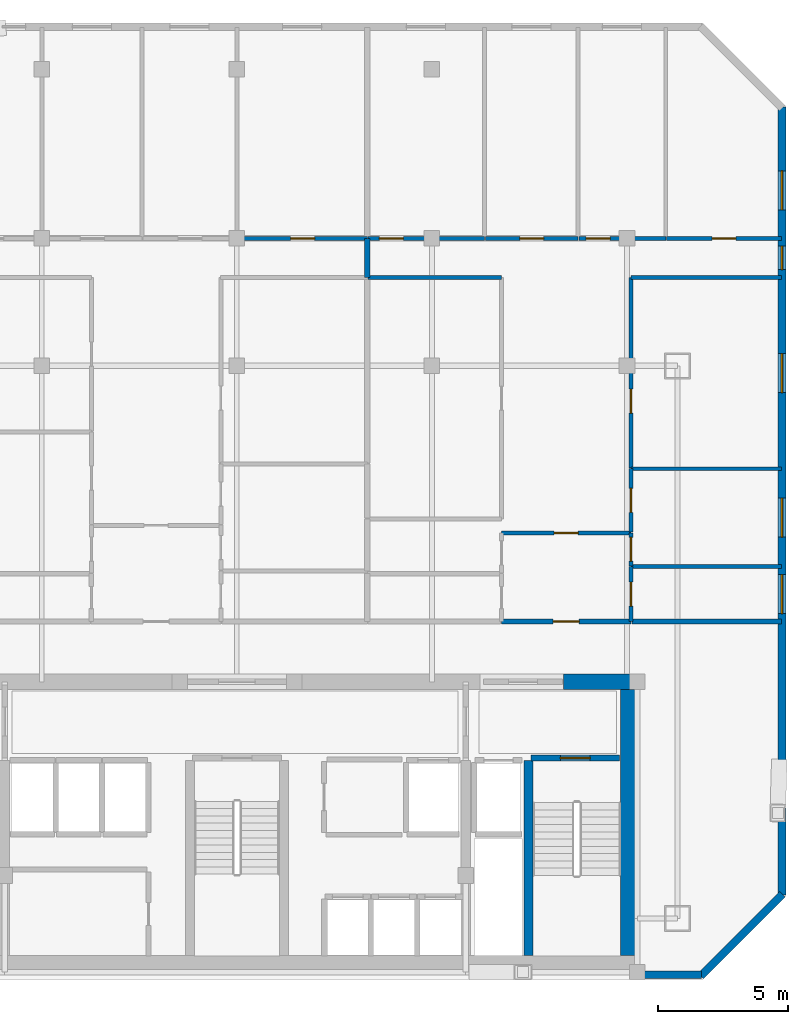
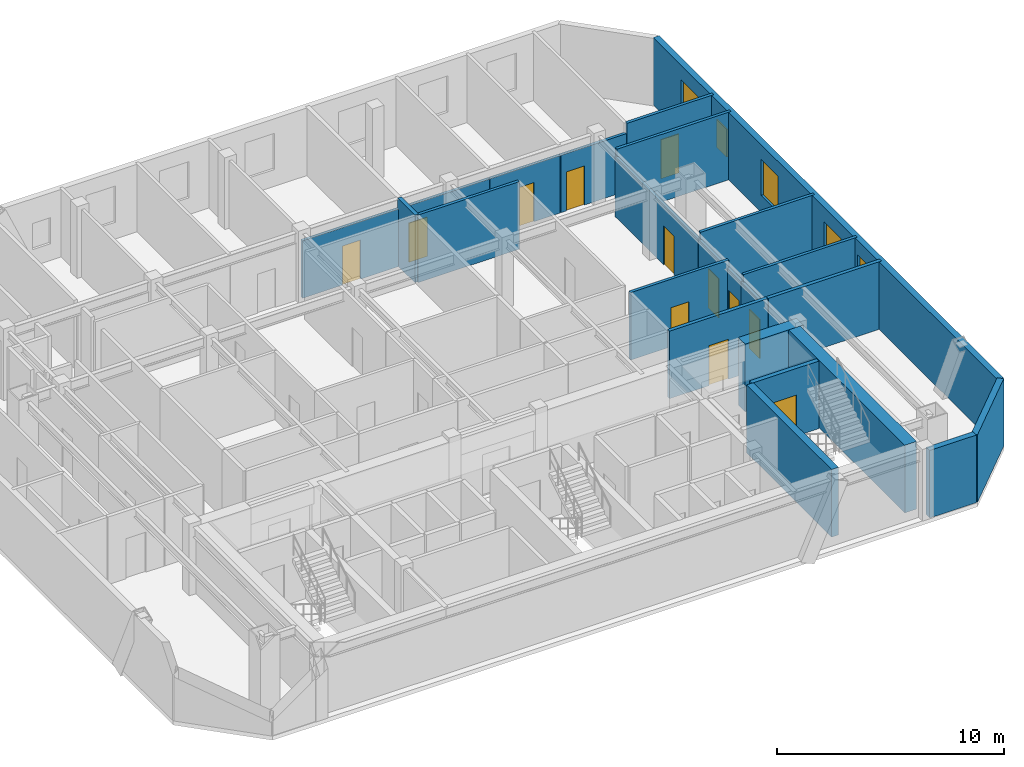
# One storey, part 5 of 7: 24 walls, 12 doors, 5 windows, 17 openings.
"""IFC4 building model written with IfcOpenShell, lengths in metres."""

import ifcopenshell
import ifcopenshell.guid

model = None  # the IFC model being written
_history = None  # IfcOwnerHistory: only IFC2X3 demands one
_inside = {}  # id of a spatial element -> (the spatial element, [elements in it])
_under = {}  # id of a project, library or spatial element -> (it, [spatial elements below it])
_declared = {}  # id of a project -> (the project, [libraries it declares])
_typed = {}  # id of a type object -> (the type object, [elements of that type])
_made_of = {}  # id of a material, layer set ... -> (it, [elements and type objects made of it])


def new_model(schema):
    """Start an empty IFC model of exactly this schema.

    Asked for "IFC4X3", IfcOpenShell would pick the latest addendum, in which some entities
    have other attributes; the version numbers below select the first issue.
    IFC2X3 requires an IfcOwnerHistory on every rooted entity: one is made here for all.
    """
    global model, _history
    if schema == "IFC4X3":
        model = ifcopenshell.file(schema_version=(4, 3, 0, 0))
    else:
        model = ifcopenshell.file(schema=schema)
    _inside.clear()
    _under.clear()
    _declared.clear()
    _typed.clear()
    _made_of.clear()
    _history = None
    if model.schema == "IFC2X3":
        org = make("IfcOrganization", Name="unknown")
        user = make(
            "IfcPersonAndOrganization",
            ThePerson=make("IfcPerson", FamilyName="unknown"),
            TheOrganization=org,
        )
        app = make(
            "IfcApplication",
            ApplicationDeveloper=org,
            Version="unknown",
            ApplicationFullName="unknown",
            ApplicationIdentifier="unknown",
        )
        _history = make(
            "IfcOwnerHistory",
            OwningUser=user,
            OwningApplication=app,
            ChangeAction="ADDED",
            CreationDate=0,
        )
    return model


def make(cls, **values):
    """One entity of the class cls with the attributes given. An attribute that is None is left unset."""
    return model.create_entity(
        cls, **{name: value for name, value in values.items() if value is not None}
    )


def rooted(cls, **values):
    """An entity with a GlobalId (a new one), such as an element, a storey or a relation."""
    return make(cls, GlobalId=ifcopenshell.guid.new(), OwnerHistory=_history, **values)


def si_unit(unit_type, name, prefix=None):
    """IfcSIUnit, for example si_unit("LENGTHUNIT", "METRE", prefix="MILLI")."""
    return make("IfcSIUnit", UnitType=unit_type, Prefix=prefix, Name=name)


def assignment(units):
    """IfcUnitAssignment: the units of a project."""
    return None if units is None else make("IfcUnitAssignment", Units=units)


def point(xyz):
    """IfcCartesianPoint."""
    return None if xyz is None else make("IfcCartesianPoint", Coordinates=xyz)


def direction(xyz):
    """IfcDirection."""
    return None if xyz is None else make("IfcDirection", DirectionRatios=xyz)


def frame(location, z_axis=None, x_axis=None):
    """IfcAxis2Placement3D, a coordinate frame: its origin and axes. An axis left out is left unset."""
    return make(
        "IfcAxis2Placement3D",
        Location=point(location),
        Axis=direction(z_axis),
        RefDirection=direction(x_axis),
    )


def frame_2d(location, x_axis=None):
    """IfcAxis2Placement2D, a coordinate frame in the plane: its origin and x axis."""
    return make(
        "IfcAxis2Placement2D", Location=point(location), RefDirection=direction(x_axis)
    )


def origin():
    """The frame at (0, 0, 0) with its axes left unset."""
    return frame((0.0, 0.0, 0.0))


def place(relative_to, where):
    """IfcLocalPlacement: puts the frame where relative to a parent placement (None: the world)."""
    return make(
        "IfcLocalPlacement", PlacementRelTo=relative_to, RelativePlacement=where
    )


def context(
    kind, dimensions, precision=None, world=None, true_north=None, identifier=None
):
    """IfcGeometricRepresentationContext, for example the 3D "Model" context."""
    return make(
        "IfcGeometricRepresentationContext",
        ContextIdentifier=identifier,
        ContextType=kind,
        CoordinateSpaceDimension=dimensions,
        Precision=precision,
        WorldCoordinateSystem=world,
        TrueNorth=true_north,
    )


def subcontext(parent, identifier, kind, view, scale=None):
    """IfcGeometricRepresentationSubContext, for example "Body" below "Model"."""
    return make(
        "IfcGeometricRepresentationSubContext",
        ContextIdentifier=identifier,
        ContextType=kind,
        ParentContext=parent,
        TargetScale=scale,
        TargetView=view,
    )


def project(units=None, contexts=None):
    """IfcProject with its units and contexts."""
    return rooted(
        "IfcProject",
        Name="project",
        RepresentationContexts=contexts,
        UnitsInContext=assignment(units),
    )


def spatial(cls, under=None, at=None, **own):
    """A site, building, storey or space (cls), placed at a placement, below another one or the project."""
    s = rooted(cls, ObjectPlacement=at, **own)
    if under is not None:
        _under.setdefault(under.id(), (under, []))[1].append(s)
    return s


def profile(cls, at=None, kind="AREA", **sizes):
    """A parametric profile (cls). Its sizes go by their IFC names, for example OverallWidth=200.0."""
    return make(cls, ProfileType=kind, Position=at, **sizes)


def rectangle(**sizes):
    """IfcRectangleProfileDef."""
    return profile("IfcRectangleProfileDef", **sizes)


def extrude(swept, where, along, depth):
    """IfcExtrudedAreaSolid: the profile swept, set in the frame where, extruded along a direction by depth."""
    return make(
        "IfcExtrudedAreaSolid",
        SweptArea=swept,
        Position=where,
        ExtrudedDirection=direction(along),
        Depth=depth,
    )


def shape(context_of_items, identifier, shape_type, items):
    """IfcShapeRepresentation: the items that make up one representation, for example the "Body"."""
    return make(
        "IfcShapeRepresentation",
        ContextOfItems=context_of_items,
        RepresentationIdentifier=identifier,
        RepresentationType=shape_type,
        Items=items,
    )


def material(Name=None, Category=None):
    """IfcMaterial."""
    return make("IfcMaterial", Name=Name, Category=Category)


def layer(
    of_material, thickness, ventilated=None, Name=None, Category=None, Priority=None
):
    """IfcMaterialLayer: one layer of a wall or slab, of a material (None: an air gap)."""
    return make(
        "IfcMaterialLayer",
        Material=of_material,
        LayerThickness=thickness,
        IsVentilated=ventilated,
        Name=Name,
        Category=Category,
        Priority=Priority,
    )


def layer_set(layers, Name=None):
    """IfcMaterialLayerSet."""
    return make("IfcMaterialLayerSet", MaterialLayers=layers, LayerSetName=Name)


def made_of(thing, what):
    """Note that an element or type object is made of a material, layer set ...; save() writes the relation."""
    if what is not None:
        _made_of.setdefault(what.id(), (what, []))[1].append(thing)
    return thing


def type_object(cls, material=None, **own):
    """A type object (cls), such as IfcWallType, which elements share."""
    return made_of(rooted(cls, **own), material)


def element(
    cls,
    number,
    at=None,
    inside=None,
    cuts=None,
    type_object=None,
    material=None,
    context=None,
    identifier="Body",
    shape_type=None,
    held_by="IfcProductDefinitionShape",
    body=None,
    shapes=None,
    **own,
):
    """One element of the class cls, such as IfcWall. Its Tag is "e" and its number.

    at: its placement. inside: the storey or other place that contains it. cuts: it is an
    opening in that element (IfcRelVoidsElement). A single representation is given by context,
    identifier, shape_type and body (its items); several are given by shapes. held_by: the class
    of the entity that holds the representations. save() writes the other relations.
    """
    e = rooted(cls, Tag="e%d" % number, ObjectPlacement=at, **own)
    if body is not None:
        shapes = [shape(context, identifier, shape_type, body)]
    if shapes is not None:
        e.Representation = make(held_by, Representations=shapes)
    if inside is not None:
        _inside.setdefault(inside.id(), (inside, []))[1].append(e)
    if cuts is not None:
        rooted(
            "IfcRelVoidsElement", RelatingBuildingElement=cuts, RelatedOpeningElement=e
        )
    if type_object is not None:
        _typed.setdefault(type_object.id(), (type_object, []))[1].append(e)
    return made_of(e, material)


def fill(opening, filler):
    """IfcRelFillsElement: the door or window that sits in an opening."""
    return rooted(
        "IfcRelFillsElement",
        RelatingOpeningElement=opening,
        RelatedBuildingElement=filler,
    )


def aggregate(whole, parts):
    """IfcRelAggregates: a whole, such as a stair, and the parts it consists of."""
    return rooted("IfcRelAggregates", RelatingObject=whole, RelatedObjects=parts)


def save(model, path):
    """Write the relations noted so far, then the file.

    IfcRelAggregates (storeys below a building ...), IfcRelContainedInSpatialStructure (elements
    in a storey), IfcRelDefinesByType, IfcRelAssociatesMaterial and IfcRelDeclares: one each for
    every whole, place, type object, material and project.
    """
    for whole, parts in _under.values():
        aggregate(whole, parts)
    for where, things in _inside.values():
        rooted(
            "IfcRelContainedInSpatialStructure",
            RelatedElements=things,
            RelatingStructure=where,
        )
    for kind, things in _typed.values():
        rooted("IfcRelDefinesByType", RelatedObjects=things, RelatingType=kind)
    for what, things in _made_of.values():
        rooted("IfcRelAssociatesMaterial", RelatedObjects=things, RelatingMaterial=what)
    for by, libraries in _declared.values():
        rooted("IfcRelDeclares", RelatingContext=by, RelatedDefinitions=libraries)
    model.write(path)


model = new_model("IFC4")

# Units and contexts
model_context = context("Model", 3, precision=1e-05, world=origin(), true_north=direction((0.0, 1.0)))
body_context = subcontext(model_context, "Body", "Model", "MODEL_VIEW")
ifc_project = project(units=[si_unit("LENGTHUNIT", "METRE"), si_unit("AREAUNIT", "SQUARE_METRE"), si_unit("VOLUMEUNIT", "CUBIC_METRE"), si_unit("PLANEANGLEUNIT", "RADIAN"), si_unit("MASSUNIT", "GRAM", prefix="KILO")], contexts=[model_context])

# Site, building, storey
site_placement = place(None, origin())
site = spatial("IfcSite", under=ifc_project, at=site_placement, CompositionType="ELEMENT")
building_placement = place(site_placement, origin())
building = spatial("IfcBuilding", under=site, at=building_placement, Name="Ventersveld Concourse Tower", CompositionType="ELEMENT")
storey_placement = place(building_placement, frame((0.0, 0.0, 238.800048828125)))
storey = spatial("IfcBuildingStorey", under=building, at=storey_placement, Name="L59", CompositionType="ELEMENT", Elevation=238.800048828125)

# Walls
ifc_material_1 = material(Name="Concrete C50/60", Category="concrete")
ifc_layer_1 = layer(ifc_material_1, 0.35009765625)
ifc_layer_set_1 = layer_set([ifc_layer_1], Name="Concrete C50/60")
wall_type_1 = type_object("IfcWallType", Name="WL-CORE-350U", PredefinedType="SHEAR", material=ifc_layer_set_1)
wall_1_placement = place(storey_placement, frame((39.9599609375, 0.919921875, 0.0), z_axis=(0.0, 0.0, 1.0), x_axis=(0.0, 1.0, 0.0)))
element("IfcWall", 1, at=wall_1_placement, inside=storey, type_object=wall_type_1, Name="L59 Core Internal Shear Web W-ST2-W", PredefinedType="SHEAR", context=body_context, shape_type="SweptSolid", body=[
    extrude(rectangle(XDim=7.5, YDim=0.35009765625, at=frame_2d((3.75, 0.0))), origin(), (0.0, 0.0, 1.0), 3.6298828125),
])
ifc_layer_2 = layer(ifc_material_1, 0.60009765625)
ifc_layer_set_2 = layer_set([ifc_layer_2], Name="Concrete C50/60")
wall_type_2 = type_object("IfcWallType", Name="WL-CORE-600", PredefinedType="SHEAR", material=ifc_layer_set_2)
wall_2_placement = place(storey_placement, frame((43.800048828125, 0.919921875, 0.0), z_axis=(0.0, 0.0, 1.0), x_axis=(0.0, 1.0, 0.0)))
element("IfcWall", 2, at=wall_2_placement, inside=storey, type_object=wall_type_2, Name="L59 Rear Core East Shear Wall", PredefinedType="SHEAR", context=body_context, shape_type="SweptSolid", body=[
    extrude(rectangle(XDim=10.530029296875, YDim=0.60009765625, at=frame_2d((5.26513671875, 0.0))), origin(), (0.0, 0.0, 1.0), 3.6298828125),
])
wall_3_placement = place(storey_placement, frame((41.300048828125, 11.449951171875, 0.0), z_axis=(0.0, 0.0, 1.0), x_axis=(1.0, 0.0, 0.0)))
element("IfcWall", 3, at=wall_3_placement, inside=storey, type_object=wall_type_2, Name="L59 Rear Core North Shear Wall NE", PredefinedType="SHEAR", context=body_context, shape_type="SweptSolid", body=[
    extrude(rectangle(XDim=2.949951171875, YDim=0.60009765625, at=frame_2d((1.47509765625, 0.0))), origin(), (0.0, 0.0, 1.0), 3.6298828125),
])

# Wall, opening, door
ifc_material_2 = material(Name="Fire-rated autoclaved aerated masonry blockwork", Category="masonry")
ifc_layer_3 = layer(ifc_material_2, 0.179931640625)
ifc_layer_set_3 = layer_set([ifc_layer_3], Name="Fire-rated autoclaved aerated masonry blockwork")
wall_type_3 = type_object("IfcWallType", Name="WL-CORR-180", PredefinedType="PARTITIONING", material=ifc_layer_set_3)
wall_4_placement = place(storey_placement, frame((38.918212890625, 13.77001953125, 0.0), z_axis=(0.0, 0.0, 1.0), x_axis=(1.0, 0.0, 0.0)))
wall_4 = element("IfcWall", 4, at=wall_4_placement, inside=storey, type_object=wall_type_3, Name="L59 Interior Partition SP-L59-COR-SP-L59-59N2-FOY", PredefinedType="PARTITIONING", context=body_context, shape_type="SweptSolid", body=[
    extrude(rectangle(XDim=4.989990234375, YDim=0.179931640625, at=frame_2d((2.4951171875, 0.0))), origin(), (0.0, 0.0, 1.0), 3.6298828125),
])
opening_1_placement = place(wall_4_placement, frame((1.9951171875, 0.0, 0.0)))
opening_1 = element("IfcOpeningElement", 5, at=opening_1_placement, cuts=wall_4, Name="Opening FD3", PredefinedType="OPENING", context=body_context, shape_type="SweptSolid", body=[
    extrude(rectangle(XDim=1.0, YDim=2.14990234375, at=frame_2d((0.5, 1.074951171875))), frame((0.0, 0.10009765625, 0.0), z_axis=(0.0, -1.0, 0.0), x_axis=(1.0, 0.0, 0.0)), (0.0, 0.0, 1.0), 0.199951171875),
])
ifc_material_3 = material(Name="Solid-core hardwood veneer timber", Category="wood")
door_type_1 = type_object("IfcDoorType", Name="DR-FLAT-100", OperationType="NOTDEFINED", PredefinedType="DOOR", material=ifc_material_3)
door_1_placement = place(opening_1_placement, origin())
door_1 = element("IfcDoor", 6, at=door_1_placement, inside=storey, type_object=door_type_1, Name="L59 Interior Door SP-L59-COR to SP-L59-59N2-FOY (FD-L59-2832)", OperationType="SINGLE_SWING_RIGHT", OverallHeight=2.14990234375, OverallWidth=1.0, PredefinedType="DOOR", context=body_context, shape_type="SweptSolid", body=[
    extrude(rectangle(XDim=1.0, YDim=2.14990234375, at=frame_2d((0.5, 1.074951171875))), frame((0.0, 0.02490234375, 0.0), z_axis=(0.0, -1.0, 0.0), x_axis=(1.0, 0.0, 0.0)), (0.0, 0.0, 1.0), 0.050048828125),
])
fill(opening_1, door_1)

# Walls
wall_5_placement = place(storey_placement, frame((43.93798828125, 13.77001953125, 0.0), z_axis=(0.0, 0.0, 1.0), x_axis=(1.0, 0.0, 0.0)))
element("IfcWall", 7, at=wall_5_placement, inside=storey, type_object=wall_type_3, Name="L59 Interior Partition SP-L59-COR-SP-L59-59N2-KIT", PredefinedType="PARTITIONING", context=body_context, shape_type="SweptSolid", body=[
    extrude(rectangle(XDim=5.747314453125, YDim=0.179931640625, at=frame_2d((2.87353515625, 0.0))), origin(), (0.0, 0.0, 1.0), 3.6298828125),
])
ifc_layer_4 = layer(ifc_material_2, 0.199951171875)
ifc_layer_set_4 = layer_set([ifc_layer_4], Name="Fire-rated autoclaved aerated masonry blockwork")
wall_type_4 = type_object("IfcWallType", Name="WL-DEMISE-200", PredefinedType="PARTITIONING", material=ifc_layer_set_4)
wall_6_placement = place(storey_placement, frame((33.75830078125, 26.9951171875, 0.0), z_axis=(0.0, 0.0, 1.0), x_axis=(0.0, 1.0, 0.0)))
element("IfcWall", 8, at=wall_6_placement, inside=storey, type_object=wall_type_4, Name="L59 Interior Partition SP-L59-59N1-LIV-SP-L59-59N2-LIV", PredefinedType="PARTITIONING", context=body_context, shape_type="SweptSolid", body=[
    extrude(rectangle(XDim=1.509765625, YDim=0.199951171875, at=frame_2d((0.7548828125, 0.0))), origin(), (0.0, 0.0, 1.0), 3.6298828125),
])

# Wall, opening, door
ifc_layer_5 = layer(ifc_material_2, 0.219970703125)
ifc_layer_set_5 = layer_set([ifc_layer_5], Name="Fire-rated autoclaved aerated masonry blockwork")
wall_type_5 = type_object("IfcWallType", Name="WL-HOIST-220", PredefinedType="SOLIDWALL", material=ifc_layer_set_5)
wall_7_placement = place(storey_placement, frame((40.06005859375, 8.52001953125, 0.0), z_axis=(0.0, 0.0, 1.0), x_axis=(1.0, 0.0, 0.0)))
wall_7 = element("IfcWall", 9, at=wall_7_placement, inside=storey, type_object=wall_type_5, Name="L59 Escape Stair ST02 Fire Wall", PredefinedType="SOLIDWALL", context=body_context, shape_type="SweptSolid", body=[
    extrude(rectangle(XDim=3.39990234375, YDim=0.219970703125, at=frame_2d((1.699951171875, 0.0))), origin(), (0.0, 0.0, 1.0), 3.6298828125),
])
opening_2_placement = place(wall_7_placement, frame((1.125, 0.0, 0.0)))
opening_2 = element("IfcOpeningElement", 10, at=opening_2_placement, cuts=wall_7, Name="Opening FD1", PredefinedType="OPENING", context=body_context, shape_type="SweptSolid", body=[
    extrude(rectangle(XDim=1.14990234375, YDim=2.199951171875, at=frame_2d((0.574951171875, 1.10009765625))), frame((0.0, 0.1201171875, 0.0), z_axis=(0.0, -1.0, 0.0), x_axis=(1.0, 0.0, 0.0)), (0.0, 0.0, 1.0), 0.239990234375),
])
ifc_material_4 = material(Name="Galvanised painted steel", Category="steel")
door_type_2 = type_object("IfcDoorType", Name="DR-STAIR-115", OperationType="NOTDEFINED", PredefinedType="DOOR", material=ifc_material_4)
door_2_placement = place(opening_2_placement, origin())
door_2 = element("IfcDoor", 11, at=door_2_placement, inside=storey, type_object=door_type_2, Name="L59 Escape Stair Door ST02 (SD-L59-2821)", OperationType="SINGLE_SWING_RIGHT", OverallHeight=2.199951171875, OverallWidth=1.14990234375, PredefinedType="DOOR", context=body_context, shape_type="SweptSolid", body=[
    extrude(rectangle(XDim=1.14990234375, YDim=2.199951171875, at=frame_2d((0.574951171875, 1.10009765625))), frame((0.0, 0.02490234375, 0.0), z_axis=(0.0, -1.0, 0.0), x_axis=(1.0, 0.0, 0.0)), (0.0, 0.0, 1.0), 0.050048828125),
])
fill(opening_2, door_2)

ifc_material_5 = material(Name="Autoclaved aerated masonry blockwork", Category="masonry")
ifc_layer_6 = layer(ifc_material_5, 0.14990234375)
ifc_layer_set_6 = layer_set([ifc_layer_6], Name="Autoclaved aerated masonry blockwork")
wall_type_6 = type_object("IfcWallType", Name="WL-INT-150", PredefinedType="PARTITIONING", material=ifc_layer_set_6)
wall_8_placement = place(storey_placement, frame((28.784912109375, 28.5, 0.0), z_axis=(0.0, 0.0, 1.0), x_axis=(1.0, 0.0, 0.0)))
wall_8 = element("IfcWall", 12, at=wall_8_placement, inside=storey, type_object=wall_type_6, Name="L59 Interior Partition SP-L59-59N1-LIV-SP-L59-59N1-BR4", PredefinedType="PARTITIONING", context=body_context, shape_type="SweptSolid", body=[
    extrude(rectangle(XDim=4.978515625, YDim=0.14990234375, at=frame_2d((2.4892578125, 0.0))), origin(), (0.0, 0.0, 1.0), 3.08544921875),
])
opening_3_placement = place(wall_8_placement, frame((2.029296875, 0.0, 0.0)))
opening_3 = element("IfcOpeningElement", 13, at=opening_3_placement, cuts=wall_8, Name="Opening ID1", PredefinedType="OPENING", context=body_context, shape_type="SweptSolid", body=[
    extrude(rectangle(XDim=0.919921875, YDim=2.10009765625, at=frame_2d((0.4599609375, 1.050048828125))), frame((0.0, 0.0849609375, 0.0), z_axis=(0.0, -1.0, 0.0), x_axis=(1.0, 0.0, 0.0)), (0.0, 0.0, 1.0), 0.169921875),
])
door_type_3 = type_object("IfcDoorType", Name="DR-ROOM-092", OperationType="NOTDEFINED", PredefinedType="DOOR", material=ifc_material_3)
door_3_placement = place(opening_3_placement, origin())
door_3 = element("IfcDoor", 14, at=door_3_placement, inside=storey, type_object=door_type_3, Name="L59 Interior Door SP-L59-59N1-LIV to SP-L59-59N1-BR4 (D-L59-2851)", OperationType="SINGLE_SWING_LEFT", OverallHeight=2.10009765625, OverallWidth=0.919921875, PredefinedType="DOOR", context=body_context, shape_type="SweptSolid", body=[
    extrude(rectangle(XDim=0.919921875, YDim=2.10009765625, at=frame_2d((0.4599609375, 1.050048828125))), frame((0.0, 0.02490234375, 0.0), z_axis=(0.0, -1.0, 0.0), x_axis=(1.0, 0.0, 0.0)), (0.0, 0.0, 1.0), 0.050048828125),
])
fill(opening_3, door_3)

wall_9_placement = place(storey_placement, frame((38.918212890625, 17.173828125, 0.0), z_axis=(0.0, 0.0, 1.0), x_axis=(1.0, 0.0, 0.0)))
wall_9 = element("IfcWall", 15, at=wall_9_placement, inside=storey, type_object=wall_type_6, Name="L59 Interior Partition SP-L59-59N2-FOY-SP-L59-59N2-LIV", PredefinedType="PARTITIONING", context=body_context, shape_type="SweptSolid", body=[
    extrude(rectangle(XDim=4.989990234375, YDim=0.14990234375, at=frame_2d((2.4951171875, 0.0))), origin(), (0.0, 0.0, 1.0), 3.6298828125),
])
opening_4_placement = place(wall_9_placement, frame((2.034912109375, 0.0, 0.0)))
opening_4 = element("IfcOpeningElement", 16, at=opening_4_placement, cuts=wall_9, Name="Opening ID1", PredefinedType="OPENING", context=body_context, shape_type="SweptSolid", body=[
    extrude(rectangle(XDim=0.919921875, YDim=2.10009765625, at=frame_2d((0.4599609375, 1.050048828125))), frame((0.0, 0.0849609375, 0.0), z_axis=(0.0, -1.0, 0.0), x_axis=(1.0, 0.0, 0.0)), (0.0, 0.0, 1.0), 0.169921875),
])
door_4_placement = place(opening_4_placement, origin())
door_4 = element("IfcDoor", 17, at=door_4_placement, inside=storey, type_object=door_type_3, Name="L59 Interior Door SP-L59-59N2-FOY to SP-L59-59N2-LIV (D-L59-2852)", OperationType="SINGLE_SWING_RIGHT", OverallHeight=2.10009765625, OverallWidth=0.919921875, PredefinedType="DOOR", context=body_context, shape_type="SweptSolid", body=[
    extrude(rectangle(XDim=0.919921875, YDim=2.10009765625, at=frame_2d((0.4599609375, 1.050048828125))), frame((0.0, 0.02490234375, 0.0), z_axis=(0.0, -1.0, 0.0), x_axis=(1.0, 0.0, 0.0)), (0.0, 0.0, 1.0), 0.050048828125),
])
fill(opening_4, door_4)

wall_10_placement = place(storey_placement, frame((43.903076171875, 13.764892578125, 0.0), z_axis=(0.0, 0.0, 1.0), x_axis=(0.0, 1.0, 0.0)))
wall_10 = element("IfcWall", 18, at=wall_10_placement, inside=storey, type_object=wall_type_6, Name="L59 Interior Partition SP-L59-59N2-FOY-SP-L59-59N2-KIT", PredefinedType="PARTITIONING", context=body_context, shape_type="SweptSolid", body=[
    extrude(rectangle(XDim=2.115966796875, YDim=0.14990234375, at=frame_2d((1.05810546875, 0.0))), origin(), (0.0, 0.0, 1.0), 3.2236328125),
])
opening_5_placement = place(wall_10_placement, frame((0.597900390625, 0.0, 0.0)))
opening_5 = element("IfcOpeningElement", 19, at=opening_5_placement, cuts=wall_10, Name="Opening ID1", PredefinedType="OPENING", context=body_context, shape_type="SweptSolid", body=[
    extrude(rectangle(XDim=0.919921875, YDim=2.10009765625, at=frame_2d((0.4599609375, 1.050048828125))), frame((0.0, 0.0849609375, 0.0), z_axis=(0.0, -1.0, 0.0), x_axis=(1.0, 0.0, 0.0)), (0.0, 0.0, 1.0), 0.169921875),
])
door_5_placement = place(opening_5_placement, origin())
door_5 = element("IfcDoor", 20, at=door_5_placement, inside=storey, type_object=door_type_3, Name="L59 Interior Door SP-L59-59N2-FOY to SP-L59-59N2-KIT (D-L59-2855)", OperationType="SINGLE_SWING_LEFT", OverallHeight=2.10009765625, OverallWidth=0.919921875, PredefinedType="DOOR", context=body_context, shape_type="SweptSolid", body=[
    extrude(rectangle(XDim=0.919921875, YDim=2.10009765625, at=frame_2d((0.4599609375, 1.050048828125))), frame((0.0, 0.02490234375, 0.0), z_axis=(0.0, -1.0, 0.0), x_axis=(1.0, 0.0, 0.0)), (0.0, 0.0, 1.0), 0.050048828125),
])
fill(opening_5, door_5)

wall_11_placement = place(storey_placement, frame((43.903076171875, 15.910888671875, 0.0), z_axis=(0.0, 0.0, 1.0), x_axis=(0.0, 1.0, 0.0)))
wall_11 = element("IfcWall", 21, at=wall_11_placement, inside=storey, type_object=wall_type_6, Name="L59 Interior Partition SP-L59-59N2-FOY-SP-L59-59N2-MEDR1", PredefinedType="PARTITIONING", context=body_context, shape_type="SweptSolid", body=[
    extrude(rectangle(XDim=1.26806640625, YDim=0.14990234375, at=frame_2d((0.634033203125, 0.0))), origin(), (0.0, 0.0, 1.0), 3.2236328125),
])
opening_6_placement = place(wall_11_placement, frame((0.174072265625, 0.0, 0.0)))
opening_6 = element("IfcOpeningElement", 22, at=opening_6_placement, cuts=wall_11, Name="Opening ID1", PredefinedType="OPENING", context=body_context, shape_type="SweptSolid", body=[
    extrude(rectangle(XDim=0.919921875, YDim=2.10009765625, at=frame_2d((0.4599609375, 1.050048828125))), frame((0.0, 0.0849609375, 0.0), z_axis=(0.0, -1.0, 0.0), x_axis=(1.0, 0.0, 0.0)), (0.0, 0.0, 1.0), 0.169921875),
])
door_6_placement = place(opening_6_placement, origin())
door_6 = element("IfcDoor", 23, at=door_6_placement, inside=storey, type_object=door_type_3, Name="L59 Interior Door SP-L59-59N2-FOY to SP-L59-59N2-MEDR1 (D-L59-2856)", OperationType="SINGLE_SWING_RIGHT", OverallHeight=2.10009765625, OverallWidth=0.919921875, PredefinedType="DOOR", context=body_context, shape_type="SweptSolid", body=[
    extrude(rectangle(XDim=0.919921875, YDim=2.10009765625, at=frame_2d((0.4599609375, 1.050048828125))), frame((0.0, 0.02490234375, 0.0), z_axis=(0.0, -1.0, 0.0), x_axis=(1.0, 0.0, 0.0)), (0.0, 0.0, 1.0), 0.050048828125),
])
fill(opening_6, door_6)

# Wall
wall_12_placement = place(storey_placement, frame((33.79345703125, 27.0, 0.0), z_axis=(0.0, 0.0, 1.0), x_axis=(1.0, 0.0, 0.0)))
element("IfcWall", 24, at=wall_12_placement, inside=storey, type_object=wall_type_6, Name="L59 Interior Partition SP-L59-59N2-LIV-SP-L59-59N2-DENL", PredefinedType="PARTITIONING", context=body_context, shape_type="SweptSolid", body=[
    extrude(rectangle(XDim=5.134521484375, YDim=0.14990234375, at=frame_2d((2.5673828125, 0.0))), origin(), (0.0, 0.0, 1.0), 3.6298828125),
])

# Wall, opening, door
wall_13_placement = place(storey_placement, frame((43.903076171875, 17.208984375, 0.0), z_axis=(0.0, 0.0, 1.0), x_axis=(0.0, 1.0, 0.0)))
wall_13 = element("IfcWall", 25, at=wall_13_placement, inside=storey, type_object=wall_type_6, Name="L59 Interior Partition SP-L59-59N2-LIV-SP-L59-59N2-MEDR1", PredefinedType="PARTITIONING", context=body_context, shape_type="SweptSolid", body=[
    extrude(rectangle(XDim=2.436767578125, YDim=0.14990234375, at=frame_2d((1.21826171875, 0.0))), origin(), (0.0, 0.0, 1.0), 3.2236328125),
])
opening_7_placement = place(wall_13_placement, frame((0.758544921875, 0.0, 0.0)))
opening_7 = element("IfcOpeningElement", 26, at=opening_7_placement, cuts=wall_13, Name="Opening ID1", PredefinedType="OPENING", context=body_context, shape_type="SweptSolid", body=[
    extrude(rectangle(XDim=0.919921875, YDim=2.10009765625, at=frame_2d((0.4599609375, 1.050048828125))), frame((0.0, 0.0849609375, 0.0), z_axis=(0.0, -1.0, 0.0), x_axis=(1.0, 0.0, 0.0)), (0.0, 0.0, 1.0), 0.169921875),
])
door_7_placement = place(opening_7_placement, origin())
door_7 = element("IfcDoor", 27, at=door_7_placement, inside=storey, type_object=door_type_3, Name="L59 Interior Door SP-L59-59N2-LIV to SP-L59-59N2-MEDR1 (D-L59-2858)", OperationType="SINGLE_SWING_RIGHT", OverallHeight=2.10009765625, OverallWidth=0.919921875, PredefinedType="DOOR", context=body_context, shape_type="SweptSolid", body=[
    extrude(rectangle(XDim=0.919921875, YDim=2.10009765625, at=frame_2d((0.4599609375, 1.050048828125))), frame((0.0, 0.02490234375, 0.0), z_axis=(0.0, -1.0, 0.0), x_axis=(1.0, 0.0, 0.0)), (0.0, 0.0, 1.0), 0.050048828125),
])
fill(opening_7, door_7)

wall_14_placement = place(storey_placement, frame((43.903076171875, 19.67578125, 0.0), z_axis=(0.0, 0.0, 1.0), x_axis=(0.0, 1.0, 0.0)))
wall_14 = element("IfcWall", 28, at=wall_14_placement, inside=storey, type_object=wall_type_6, Name="L59 Interior Partition SP-L59-59N2-LIV-SP-L59-59N2-DENS", PredefinedType="PARTITIONING", context=body_context, shape_type="SweptSolid", body=[
    extrude(rectangle(XDim=7.3291015625, YDim=0.14990234375, at=frame_2d((3.66455078125, 0.0))), origin(), (0.0, 0.0, 1.0), 3.2236328125),
])
opening_8_placement = place(wall_14_placement, frame((2.105224609375, 0.0, 0.0)))
opening_8 = element("IfcOpeningElement", 29, at=opening_8_placement, cuts=wall_14, Name="Opening ID1", PredefinedType="OPENING", context=body_context, shape_type="SweptSolid", body=[
    extrude(rectangle(XDim=0.919921875, YDim=2.10009765625, at=frame_2d((0.4599609375, 1.050048828125))), frame((0.0, 0.0849609375, 0.0), z_axis=(0.0, -1.0, 0.0), x_axis=(1.0, 0.0, 0.0)), (0.0, 0.0, 1.0), 0.169921875),
])
door_8_placement = place(opening_8_placement, origin())
door_8 = element("IfcDoor", 30, at=door_8_placement, inside=storey, type_object=door_type_3, Name="L59 Interior Door SP-L59-59N2-LIV to SP-L59-59N2-DENS (D-L59-2859)", OperationType="SINGLE_SWING_LEFT", OverallHeight=2.10009765625, OverallWidth=0.919921875, PredefinedType="DOOR", context=body_context, shape_type="SweptSolid", body=[
    extrude(rectangle(XDim=0.919921875, YDim=2.10009765625, at=frame_2d((0.4599609375, 1.050048828125))), frame((0.0, 0.02490234375, 0.0), z_axis=(0.0, -1.0, 0.0), x_axis=(1.0, 0.0, 0.0)), (0.0, 0.0, 1.0), 0.050048828125),
])
fill(opening_8, door_8)

# Wall
wall_15_placement = place(storey_placement, frame((43.898193359375, 27.0, 0.0), z_axis=(0.0, 0.0, 1.0), x_axis=(1.0, 0.0, 0.0)))
element("IfcWall", 31, at=wall_15_placement, inside=storey, type_object=wall_type_6, Name="L59 Interior Partition SP-L59-59N2-LIV-SP-L59-59N2-DENS", PredefinedType="PARTITIONING", context=body_context, shape_type="SweptSolid", body=[
    extrude(rectangle(XDim=5.787109375, YDim=0.14990234375, at=frame_2d((2.8935546875, 0.0))), origin(), (0.0, 0.0, 1.0), 3.6298828125),
])

# Wall, opening, door
wall_16_placement = place(storey_placement, frame((33.79345703125, 28.5, 0.0), z_axis=(0.0, 0.0, 1.0), x_axis=(1.0, 0.0, 0.0)))
wall_16 = element("IfcWall", 32, at=wall_16_placement, inside=storey, type_object=wall_type_6, Name="L59 Interior Partition SP-L59-59N2-LIV-SP-L59-59N2-BR1", PredefinedType="PARTITIONING", context=body_context, shape_type="SweptSolid", body=[
    extrude(rectangle(XDim=4.481201171875, YDim=0.14990234375, at=frame_2d((2.24072265625, 0.0))), origin(), (0.0, 0.0, 1.0), 3.08544921875),
])
opening_9_placement = place(wall_16_placement, frame((0.436279296875, 0.0, 0.0)))
opening_9 = element("IfcOpeningElement", 33, at=opening_9_placement, cuts=wall_16, Name="Opening ID1", PredefinedType="OPENING", context=body_context, shape_type="SweptSolid", body=[
    extrude(rectangle(XDim=0.919921875, YDim=2.10009765625, at=frame_2d((0.4599609375, 1.050048828125))), frame((0.0, 0.0849609375, 0.0), z_axis=(0.0, -1.0, 0.0), x_axis=(1.0, 0.0, 0.0)), (0.0, 0.0, 1.0), 0.169921875),
])
door_9_placement = place(opening_9_placement, origin())
door_9 = element("IfcDoor", 34, at=door_9_placement, inside=storey, type_object=door_type_3, Name="L59 Interior Door SP-L59-59N2-LIV to SP-L59-59N2-BR1 (D-L59-2860)", OperationType="SINGLE_SWING_RIGHT", OverallHeight=2.10009765625, OverallWidth=0.919921875, PredefinedType="DOOR", context=body_context, shape_type="SweptSolid", body=[
    extrude(rectangle(XDim=0.919921875, YDim=2.10009765625, at=frame_2d((0.4599609375, 1.050048828125))), frame((0.0, 0.02490234375, 0.0), z_axis=(0.0, -1.0, 0.0), x_axis=(1.0, 0.0, 0.0)), (0.0, 0.0, 1.0), 0.050048828125),
])
fill(opening_9, door_9)

wall_17_placement = place(storey_placement, frame((38.3046875, 28.5, 0.0), z_axis=(0.0, 0.0, 1.0), x_axis=(1.0, 0.0, 0.0)))
wall_17 = element("IfcWall", 35, at=wall_17_placement, inside=storey, type_object=wall_type_6, Name="L59 Interior Partition SP-L59-59N2-LIV-SP-L59-59N2-BR2", PredefinedType="PARTITIONING", context=body_context, shape_type="SweptSolid", body=[
    extrude(rectangle(XDim=3.5693359375, YDim=0.14990234375, at=frame_2d((1.78466796875, 0.0))), origin(), (0.0, 0.0, 1.0), 3.08544921875),
])
opening_10_placement = place(wall_17_placement, frame((1.32470703125, 0.0, 0.0)))
opening_10 = element("IfcOpeningElement", 36, at=opening_10_placement, cuts=wall_17, Name="Opening ID1", PredefinedType="OPENING", context=body_context, shape_type="SweptSolid", body=[
    extrude(rectangle(XDim=0.919921875, YDim=2.10009765625, at=frame_2d((0.4599609375, 1.050048828125))), frame((0.0, 0.0849609375, 0.0), z_axis=(0.0, -1.0, 0.0), x_axis=(1.0, 0.0, 0.0)), (0.0, 0.0, 1.0), 0.169921875),
])
door_10_placement = place(opening_10_placement, origin())
door_10 = element("IfcDoor", 37, at=door_10_placement, inside=storey, type_object=door_type_3, Name="L59 Interior Door SP-L59-59N2-LIV to SP-L59-59N2-BR2 (D-L59-2861)", OperationType="SINGLE_SWING_LEFT", OverallHeight=2.10009765625, OverallWidth=0.919921875, PredefinedType="DOOR", context=body_context, shape_type="SweptSolid", body=[
    extrude(rectangle(XDim=0.919921875, YDim=2.10009765625, at=frame_2d((0.4599609375, 1.050048828125))), frame((0.0, 0.02490234375, 0.0), z_axis=(0.0, -1.0, 0.0), x_axis=(1.0, 0.0, 0.0)), (0.0, 0.0, 1.0), 0.050048828125),
])
fill(opening_10, door_10)

wall_18_placement = place(storey_placement, frame((41.904052734375, 28.5, 0.0), z_axis=(0.0, 0.0, 1.0), x_axis=(1.0, 0.0, 0.0)))
wall_18 = element("IfcWall", 38, at=wall_18_placement, inside=storey, type_object=wall_type_6, Name="L59 Interior Partition SP-L59-59N2-LIV-SP-L59-59N2-BR3", PredefinedType="PARTITIONING", context=body_context, shape_type="SweptSolid", body=[
    extrude(rectangle(XDim=3.34130859375, YDim=0.14990234375, at=frame_2d((1.670654296875, 0.0))), origin(), (0.0, 0.0, 1.0), 3.08544921875),
])
opening_11_placement = place(wall_18_placement, frame((0.280029296875, 0.0, 0.0)))
opening_11 = element("IfcOpeningElement", 39, at=opening_11_placement, cuts=wall_18, Name="Opening ID1", PredefinedType="OPENING", context=body_context, shape_type="SweptSolid", body=[
    extrude(rectangle(XDim=0.919921875, YDim=2.10009765625, at=frame_2d((0.4599609375, 1.050048828125))), frame((0.0, 0.0849609375, 0.0), z_axis=(0.0, -1.0, 0.0), x_axis=(1.0, 0.0, 0.0)), (0.0, 0.0, 1.0), 0.169921875),
])
door_11_placement = place(opening_11_placement, origin())
door_11 = element("IfcDoor", 40, at=door_11_placement, inside=storey, type_object=door_type_3, Name="L59 Interior Door SP-L59-59N2-LIV to SP-L59-59N2-BR3 (D-L59-2862)", OperationType="SINGLE_SWING_RIGHT", OverallHeight=2.10009765625, OverallWidth=0.919921875, PredefinedType="DOOR", context=body_context, shape_type="SweptSolid", body=[
    extrude(rectangle(XDim=0.919921875, YDim=2.10009765625, at=frame_2d((0.4599609375, 1.050048828125))), frame((0.0, 0.02490234375, 0.0), z_axis=(0.0, -1.0, 0.0), x_axis=(1.0, 0.0, 0.0)), (0.0, 0.0, 1.0), 0.050048828125),
])
fill(opening_11, door_11)

wall_19_placement = place(storey_placement, frame((45.275390625, 28.5, 0.0), z_axis=(0.0, 0.0, 1.0), x_axis=(1.0, 0.0, 0.0)))
wall_19 = element("IfcWall", 41, at=wall_19_placement, inside=storey, type_object=wall_type_6, Name="L59 Interior Partition SP-L59-59N2-LIV-SP-L59-59N2-BR4", PredefinedType="PARTITIONING", context=body_context, shape_type="SweptSolid", body=[
    extrude(rectangle(XDim=4.409912109375, YDim=0.14990234375, at=frame_2d((2.205078125, 0.0))), origin(), (0.0, 0.0, 1.0), 3.6298828125),
])
opening_12_placement = place(wall_19_placement, frame((1.7451171875, 0.0, 0.0)))
opening_12 = element("IfcOpeningElement", 42, at=opening_12_placement, cuts=wall_19, Name="Opening ID1", PredefinedType="OPENING", context=body_context, shape_type="SweptSolid", body=[
    extrude(rectangle(XDim=0.919921875, YDim=2.10009765625, at=frame_2d((0.4599609375, 1.050048828125))), frame((0.0, 0.0849609375, 0.0), z_axis=(0.0, -1.0, 0.0), x_axis=(1.0, 0.0, 0.0)), (0.0, 0.0, 1.0), 0.169921875),
])
door_12_placement = place(opening_12_placement, origin())
door_12 = element("IfcDoor", 43, at=door_12_placement, inside=storey, type_object=door_type_3, Name="L59 Interior Door SP-L59-59N2-LIV to SP-L59-59N2-BR4 (D-L59-2863)", OperationType="SINGLE_SWING_LEFT", OverallHeight=2.10009765625, OverallWidth=0.919921875, PredefinedType="DOOR", context=body_context, shape_type="SweptSolid", body=[
    extrude(rectangle(XDim=0.919921875, YDim=2.10009765625, at=frame_2d((0.4599609375, 1.050048828125))), frame((0.0, 0.02490234375, 0.0), z_axis=(0.0, -1.0, 0.0), x_axis=(1.0, 0.0, 0.0)), (0.0, 0.0, 1.0), 0.050048828125),
])
fill(opening_12, door_12)

# Walls
for number, where, z_axis, x_axis, name in (
    (44, (43.898193359375, 15.8759765625, 0.0), (0.0, 0.0, 1.0), (1.0, 0.0, 0.0), "L59 Interior Partition SP-L59-59N2-KIT-SP-L59-59N2-MEDR1"),
    (45, (43.898193359375, 19.640869140625, 0.0), (0.0, 0.0, 1.0), (1.0, 0.0, 0.0), "L59 Interior Partition SP-L59-59N2-MEDR1-SP-L59-59N2-DENS"),
):
    element("IfcWall", number, at=place(storey_placement, frame(where, z_axis=z_axis, x_axis=x_axis)), inside=storey, type_object=wall_type_6, Name=name, PredefinedType="PARTITIONING", context=body_context, shape_type="SweptSolid", body=[
        extrude(rectangle(XDim=5.787109375, YDim=0.14990234375, at=frame_2d((2.8935546875, 0.0))), origin(), (0.0, 0.0, 1.0), 3.6298828125),
    ])
ifc_material_6 = material(Name="Precast concrete C45/55", Category="concrete")
ifc_layer_7 = layer(ifc_material_6, 0.300048828125)
ifc_layer_set_7 = layer_set([ifc_layer_7], Name="Precast concrete C45/55")
wall_type_7 = type_object("IfcWallType", Name="WL-PREC-300", PredefinedType="SOLIDWALL", material=ifc_layer_set_7)
wall_20_placement = place(storey_placement, frame((44.25, 0.179931640625, 0.0), z_axis=(0.0, 0.0, 1.0), x_axis=(1.0, 0.0, 0.0)))
element("IfcWall", 46, at=wall_20_placement, inside=storey, type_object=wall_type_7, Name="L59 South-East Flank Precast Wall", PredefinedType="SOLIDWALL", context=body_context, shape_type="SweptSolid", body=[
    extrude(rectangle(XDim=2.367919921875, YDim=0.300048828125, at=frame_2d((1.18408203125, 0.0))), origin(), (0.0, 0.0, 1.0), 3.6298828125),
])
wall_21_placement = place(storey_placement, frame((46.580078125, 0.134521484375, 0.0), z_axis=(0.0, 0.0, 1.0), x_axis=(0.707106781187, 0.707106781187, 0.0)))
element("IfcWall", 47, at=wall_21_placement, inside=storey, type_object=wall_type_7, Name="L59 Highveld Precast Facade Wall E02", PredefinedType="SOLIDWALL", context=body_context, shape_type="SweptSolid", body=[
    extrude(rectangle(XDim=4.4453125, YDim=0.300048828125, at=frame_2d((2.22265625, 0.0))), origin(), (0.0, 0.0, 1.0), 3.6298828125),
])

# Wall, openings, windows
wall_22_placement = place(storey_placement, frame((49.707763671875, 3.239990234375, 0.0), z_axis=(0.0, 0.0, 1.0), x_axis=(0.0, 1.0, 0.0)))
wall_22 = element("IfcWall", 48, at=wall_22_placement, inside=storey, type_object=wall_type_7, Name="L59 Highveld Precast Facade Wall E03", PredefinedType="SOLIDWALL", context=body_context, shape_type="SweptSolid", body=[
    extrude(rectangle(XDim=30.308837890625, YDim=0.300048828125, at=frame_2d((15.154296875, 0.0))), origin(), (0.0, 0.0, 1.0), 3.6298828125),
])
opening_13_placement = place(wall_22_placement, frame((24.06005859375, 0.0, 0.949951171875)))
opening_13 = element("IfcOpeningElement", 49, at=opening_13_placement, cuts=wall_22, Name="Opening W4", PredefinedType="OPENING", context=body_context, shape_type="SweptSolid", body=[
    extrude(rectangle(XDim=0.89990234375, YDim=1.5, at=frame_2d((0.449951171875, 0.75))), frame((0.0, 0.16015625, 0.0), z_axis=(0.0, -1.0, 0.0), x_axis=(1.0, 0.0, 0.0)), (0.0, 0.0, 1.0), 0.320068359375),
])
opening_14_placement = place(wall_22_placement, frame((10.8330078125, 0.0, 0.89990234375)))
opening_14 = element("IfcOpeningElement", 50, at=opening_14_placement, cuts=wall_22, Name="Opening W1", PredefinedType="OPENING", context=body_context, shape_type="SweptSolid", body=[
    extrude(rectangle(XDim=1.5, YDim=1.949951171875, at=frame_2d((0.75, 0.97509765625))), frame((0.0, 0.16015625, 0.0), z_axis=(0.0, -1.0, 0.0), x_axis=(1.0, 0.0, 0.0)), (0.0, 0.0, 1.0), 0.320068359375),
])
opening_15_placement = place(wall_22_placement, frame((13.768310546875, 0.0, 0.89990234375)))
opening_15 = element("IfcOpeningElement", 51, at=opening_15_placement, cuts=wall_22, Name="Opening W1", PredefinedType="OPENING", context=body_context, shape_type="SweptSolid", body=[
    extrude(rectangle(XDim=1.5, YDim=1.949951171875, at=frame_2d((0.75, 0.97509765625))), frame((0.0, 0.16015625, 0.0), z_axis=(0.0, -1.0, 0.0), x_axis=(1.0, 0.0, 0.0)), (0.0, 0.0, 1.0), 0.320068359375),
])
opening_16_placement = place(wall_22_placement, frame((19.330322265625, 0.0, 0.89990234375)))
opening_16 = element("IfcOpeningElement", 52, at=opening_16_placement, cuts=wall_22, Name="Opening W1", PredefinedType="OPENING", context=body_context, shape_type="SweptSolid", body=[
    extrude(rectangle(XDim=1.5, YDim=1.949951171875, at=frame_2d((0.75, 0.97509765625))), frame((0.0, 0.16015625, 0.0), z_axis=(0.0, -1.0, 0.0), x_axis=(1.0, 0.0, 0.0)), (0.0, 0.0, 1.0), 0.320068359375),
])
opening_17_placement = place(wall_22_placement, frame((26.360107421875, 0.0, 0.89990234375)))
opening_17 = element("IfcOpeningElement", 53, at=opening_17_placement, cuts=wall_22, Name="Opening W1", PredefinedType="OPENING", context=body_context, shape_type="SweptSolid", body=[
    extrude(rectangle(XDim=1.5, YDim=1.949951171875, at=frame_2d((0.75, 0.97509765625))), frame((0.0, 0.16015625, 0.0), z_axis=(0.0, -1.0, 0.0), x_axis=(1.0, 0.0, 0.0)), (0.0, 0.0, 1.0), 0.320068359375),
])
ifc_material_7 = material(Name="Tempered acoustic Low-E IGU", Category="glass")
window_type_1 = type_object("IfcWindowType", Name="WIN-090x150", PartitioningType="SINGLE_PANEL", PredefinedType="WINDOW", material=ifc_material_7)
window_1_placement = place(opening_13_placement, origin())
window_1 = element("IfcWindow", 54, at=window_1_placement, inside=storey, type_object=window_type_1, Name="L59 Punched Low-E Window W-0851", OverallHeight=1.5, OverallWidth=0.89990234375, PartitioningType="SINGLE_PANEL", PredefinedType="WINDOW", context=body_context, shape_type="SweptSolid", body=[
    extrude(rectangle(XDim=0.89990234375, YDim=1.5, at=frame_2d((0.449951171875, 0.75))), frame((0.0, 0.030029296875, 0.0), z_axis=(0.0, -1.0, 0.0), x_axis=(1.0, 0.0, 0.0)), (0.0, 0.0, 1.0), 0.06005859375),
])
fill(opening_13, window_1)
window_type_2 = type_object("IfcWindowType", Name="WIN-150x210", PartitioningType="SINGLE_PANEL", PredefinedType="WINDOW", material=ifc_material_7)
window_2_placement = place(opening_14_placement, origin())
window_2 = element("IfcWindow", 55, at=window_2_placement, inside=storey, type_object=window_type_2, Name="L59 Punched Low-E Window W-0852", OverallHeight=1.949951171875, OverallWidth=1.5, PartitioningType="SINGLE_PANEL", PredefinedType="WINDOW", context=body_context, shape_type="SweptSolid", body=[
    extrude(rectangle(XDim=1.5, YDim=1.949951171875, at=frame_2d((0.75, 0.97509765625))), frame((0.0, 0.030029296875, 0.0), z_axis=(0.0, -1.0, 0.0), x_axis=(1.0, 0.0, 0.0)), (0.0, 0.0, 1.0), 0.06005859375),
])
fill(opening_14, window_2)
window_3_placement = place(opening_15_placement, origin())
window_3 = element("IfcWindow", 56, at=window_3_placement, inside=storey, type_object=window_type_2, Name="L59 Punched Low-E Window W-0853", OverallHeight=1.949951171875, OverallWidth=1.5, PartitioningType="SINGLE_PANEL", PredefinedType="WINDOW", context=body_context, shape_type="SweptSolid", body=[
    extrude(rectangle(XDim=1.5, YDim=1.949951171875, at=frame_2d((0.75, 0.97509765625))), frame((0.0, 0.030029296875, 0.0), z_axis=(0.0, -1.0, 0.0), x_axis=(1.0, 0.0, 0.0)), (0.0, 0.0, 1.0), 0.06005859375),
])
fill(opening_15, window_3)
window_4_placement = place(opening_16_placement, origin())
window_4 = element("IfcWindow", 57, at=window_4_placement, inside=storey, type_object=window_type_2, Name="L59 Punched Low-E Window W-0854", OverallHeight=1.949951171875, OverallWidth=1.5, PartitioningType="SINGLE_PANEL", PredefinedType="WINDOW", context=body_context, shape_type="SweptSolid", body=[
    extrude(rectangle(XDim=1.5, YDim=1.949951171875, at=frame_2d((0.75, 0.97509765625))), frame((0.0, 0.030029296875, 0.0), z_axis=(0.0, -1.0, 0.0), x_axis=(1.0, 0.0, 0.0)), (0.0, 0.0, 1.0), 0.06005859375),
])
fill(opening_16, window_4)
window_5_placement = place(opening_17_placement, origin())
window_5 = element("IfcWindow", 58, at=window_5_placement, inside=storey, type_object=window_type_2, Name="L59 Punched Low-E Window W-0858", OverallHeight=1.949951171875, OverallWidth=1.5, PartitioningType="SINGLE_PANEL", PredefinedType="WINDOW", context=body_context, shape_type="SweptSolid", body=[
    extrude(rectangle(XDim=1.5, YDim=1.949951171875, at=frame_2d((0.75, 0.97509765625))), frame((0.0, 0.030029296875, 0.0), z_axis=(0.0, -1.0, 0.0), x_axis=(1.0, 0.0, 0.0)), (0.0, 0.0, 1.0), 0.06005859375),
])
fill(opening_17, window_5)

save(model, "model.ifc")
